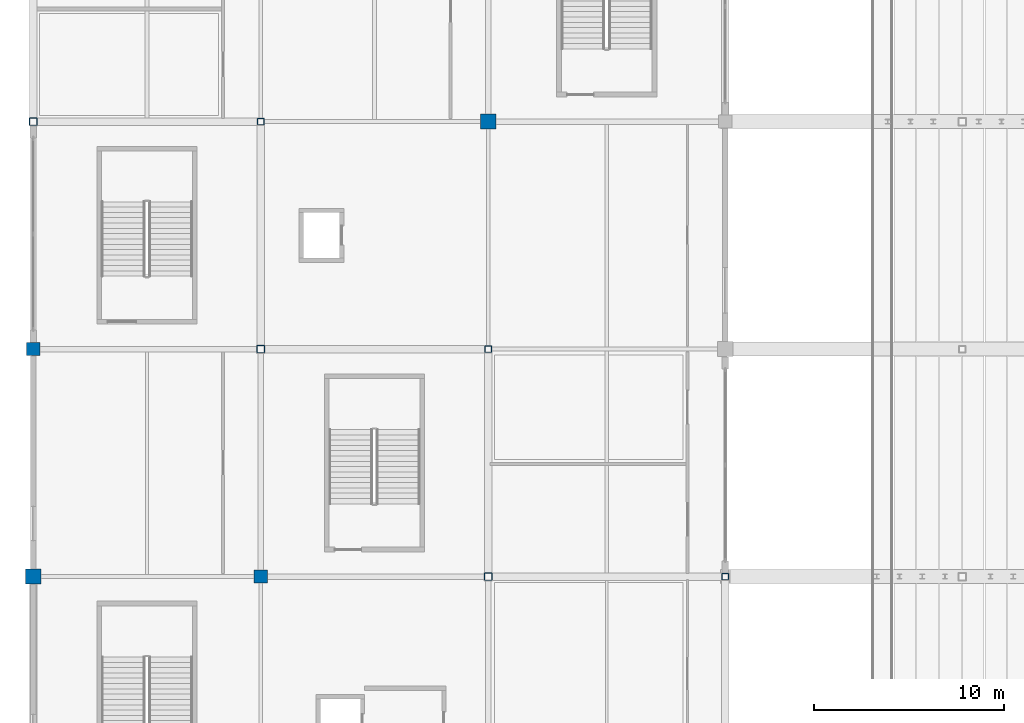
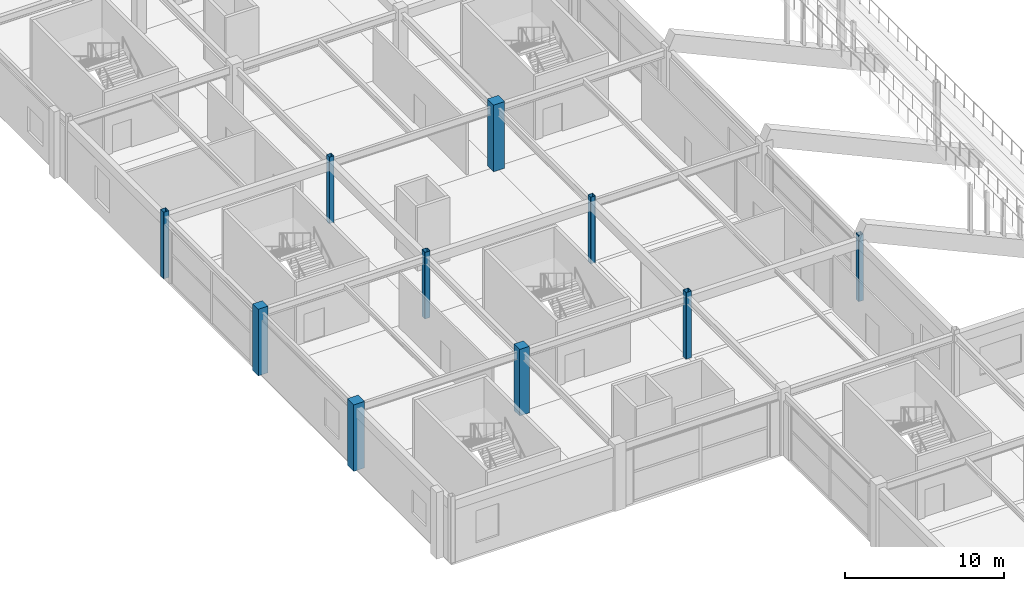
# One storey, part 3 of 128: 10 columns.
"""IFC4 building model written with IfcOpenShell, lengths in metres."""

from ifc_helpers import new_model, si_unit, direction, frame, origin, origin_2d, place, context, subcontext, project, spatial, rectangle, hollow_rectangle, extrude, material, material_profile, profile_set, type_object, element, save


model = new_model("IFC4")

# Units and contexts
model_context = context("Model", 3, precision=1e-05, world=origin(), true_north=direction((0.0, 1.0)))
body_context = subcontext(model_context, "Body", "Model", "MODEL_VIEW")
ifc_project = project(units=[si_unit("LENGTHUNIT", "METRE"), si_unit("AREAUNIT", "SQUARE_METRE"), si_unit("VOLUMEUNIT", "CUBIC_METRE"), si_unit("PLANEANGLEUNIT", "RADIAN"), si_unit("MASSUNIT", "GRAM", prefix="KILO")], contexts=[model_context])

# Site, building, storey
site_placement = place(None, origin())
site = spatial("IfcSite", under=ifc_project, at=site_placement, CompositionType="ELEMENT")
building_placement = place(site_placement, origin())
building = spatial("IfcBuilding", under=site, at=building_placement, Name="Kazenohara Klinker Stadium", CompositionType="ELEMENT")
storey_placement = place(building_placement, frame((0.0, 0.0, 15.300048828125)))
storey = spatial("IfcBuildingStorey", under=building, at=storey_placement, Name="L03", CompositionType="ELEMENT", Elevation=15.300048828125)

# Columns
ifc_material_1 = material(Name="Concrete C40/50", Category="concrete")
ifc_material_profile_1 = material_profile(ifc_material_1, rectangle(XDim=0.800048828125, YDim=0.800048828125, at=origin_2d()), Name="RC-COL-800x800")
ifc_profile_set_1 = profile_set([ifc_material_profile_1], Name="Concrete C40/50")
column_type_1 = type_object("IfcColumnType", Name="COL-RC05", PredefinedType="COLUMN", material=ifc_profile_set_1)
for number, where, z_axis, x_axis, name in (
    (1, (0.0, 48.0, 0.0), (0.0, 0.0, 1.0), (1.0, 0.0, 0.0), "Column C05 L03 1/E"),
    (2, (24.0, 72.0, 0.0), (0.0, 0.0, 1.0), (1.0, 0.0, 0.0), "Column C05 L03 3/G"),
):
    element("IfcColumn", number, at=place(storey_placement, frame(where, z_axis=z_axis, x_axis=x_axis)), inside=storey, type_object=column_type_1, Name=name, PredefinedType="COLUMN", context=body_context, shape_type="SweptSolid", body=[
        extrude(rectangle(XDim=0.800048828125, YDim=0.800048828125, at=origin_2d()), origin(), (0.0, 0.0, 1.0), 5.099853515625),
    ])
ifc_material_profile_2 = material_profile(ifc_material_1, rectangle(XDim=0.699951171875, YDim=0.699951171875, at=origin_2d()), Name="RC-COL-700x700")
ifc_profile_set_2 = profile_set([ifc_material_profile_2], Name="Concrete C40/50")
column_type_2 = type_object("IfcColumnType", Name="COL-RC06", PredefinedType="COLUMN", material=ifc_profile_set_2)
for number, where, z_axis, x_axis, name in (
    (3, (0.0, 60.0, 0.0), (0.0, 0.0, 1.0), (1.0, 0.0, 0.0), "Column C06 L03 1/F"),
    (4, (12.0, 48.0, 0.0), (0.0, 0.0, 1.0), (1.0, 0.0, 0.0), "Column C06 L03 2/E"),
):
    element("IfcColumn", number, at=place(storey_placement, frame(where, z_axis=z_axis, x_axis=x_axis)), inside=storey, type_object=column_type_2, Name=name, PredefinedType="COLUMN", context=body_context, shape_type="SweptSolid", body=[
        extrude(rectangle(XDim=0.699951171875, YDim=0.699951171875, at=origin_2d()), origin(), (0.0, 0.0, 1.0), 5.099853515625),
    ])
ifc_material_2 = material(Name="Steel S355", Category="steel")
ifc_material_profile_3 = material_profile(ifc_material_2, hollow_rectangle(XDim=0.39990234375, YDim=0.39990234375, WallThickness=0.01611328125, InnerFilletRadius=0.01611328125, OuterFilletRadius=0.031982421875, at=origin_2d()), Name="SHS-400x400x16")
ifc_profile_set_3 = profile_set([ifc_material_profile_3], Name="Steel S355")
column_type_3 = type_object("IfcColumnType", Name="COL-ST01", PredefinedType="COLUMN", material=ifc_profile_set_3)
for number, where, z_axis, x_axis, name in (
    (5, (0.0, 72.0, 0.0), (0.0, 0.0, 1.0), (1.0, 0.0, 0.0), "Column SC01 L03 1/G"),
    (6, (12.0, 60.0, 0.0), (0.0, 0.0, 1.0), (1.0, 0.0, 0.0), "Column SC01 L03 2/F"),
    (7, (24.0, 48.0, 0.0), (0.0, 0.0, 1.0), (1.0, 0.0, 0.0), "Column SC01 L03 3/E"),
):
    element("IfcColumn", number, at=place(storey_placement, frame(where, z_axis=z_axis, x_axis=x_axis)), inside=storey, type_object=column_type_3, Name=name, PredefinedType="COLUMN", context=body_context, shape_type="SweptSolid", body=[
        extrude(hollow_rectangle(XDim=0.39990234375, YDim=0.39990234375, WallThickness=0.01611328125, InnerFilletRadius=0.01611328125, OuterFilletRadius=0.031982421875, at=origin_2d()), origin(), (0.0, 0.0, 1.0), 5.099853515625),
    ])
ifc_material_profile_4 = material_profile(ifc_material_2, hollow_rectangle(XDim=0.35009765625, YDim=0.35009765625, WallThickness=0.01611328125, InnerFilletRadius=0.01611328125, OuterFilletRadius=0.031982421875, at=origin_2d()), Name="SHS-350x350x16")
ifc_profile_set_4 = profile_set([ifc_material_profile_4], Name="Steel S355")
column_type_4 = type_object("IfcColumnType", Name="COL-ST02", PredefinedType="COLUMN", material=ifc_profile_set_4)
for number, where, z_axis, x_axis, name in (
    (8, (12.0, 72.0, 0.0), (0.0, 0.0, 1.0), (1.0, 0.0, 0.0), "Column SC02 L03 2/G"),
    (9, (24.0, 60.0, 0.0), (0.0, 0.0, 1.0), (1.0, 0.0, 0.0), "Column SC02 L03 3/F"),
    (10, (36.5, 48.0, 0.0), (0.0, 0.0, 1.0), (1.0, 0.0, 0.0), "Column SC02 L03 4/E"),
):
    element("IfcColumn", number, at=place(storey_placement, frame(where, z_axis=z_axis, x_axis=x_axis)), inside=storey, type_object=column_type_4, Name=name, PredefinedType="COLUMN", context=body_context, shape_type="SweptSolid", body=[
        extrude(hollow_rectangle(XDim=0.35009765625, YDim=0.35009765625, WallThickness=0.01611328125, InnerFilletRadius=0.01611328125, OuterFilletRadius=0.031982421875, at=origin_2d()), origin(), (0.0, 0.0, 1.0), 5.099853515625),
    ])

save(model, "model.ifc")
